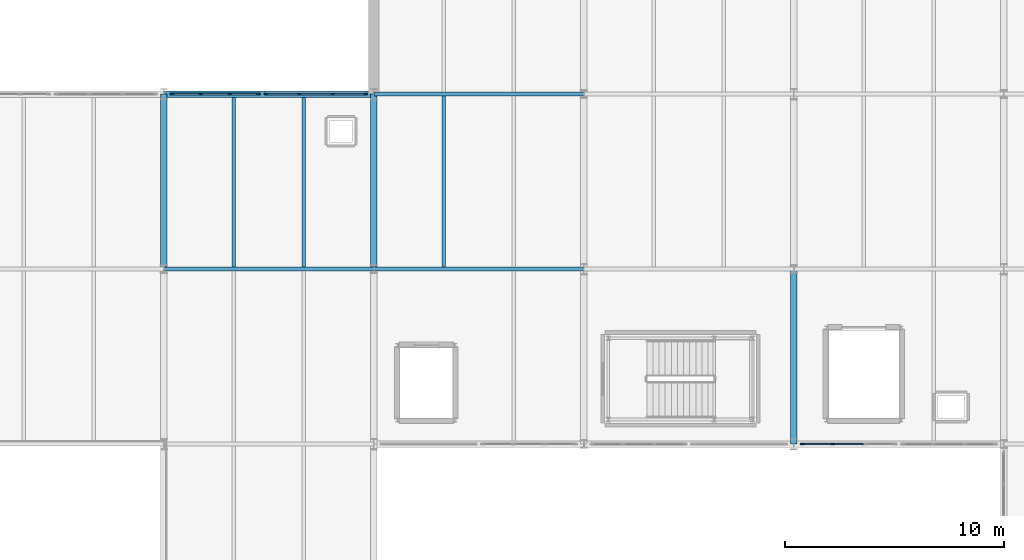
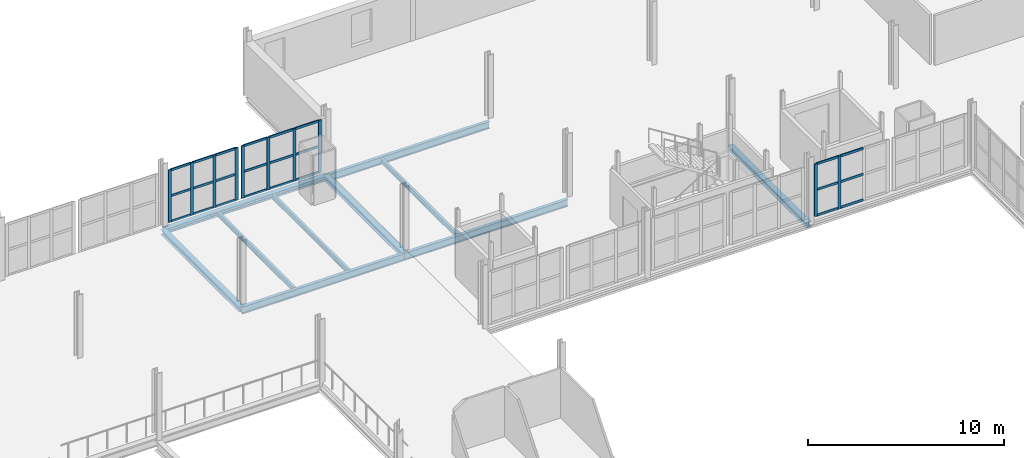
# One storey, part 42 of 78: 34 members, 10 beams, 3 elements without a shape of their own.
"""IFC4 building model written with IfcOpenShell, lengths in metres."""

from ifc_helpers import new_model, si_unit, direction, frame, origin, origin_2d, place, context, subcontext, project, spatial, rectangle, i_section, extrude, material, layer, layer_set, material_profile, profile_set, type_object, element, aggregate, save


model = new_model("IFC4")

# Units and contexts
model_context = context("Model", 3, precision=1e-05, world=origin(), true_north=direction((0.0, 1.0)))
body_context = subcontext(model_context, "Body", "Model", "MODEL_VIEW")
ifc_project = project(units=[si_unit("LENGTHUNIT", "METRE"), si_unit("AREAUNIT", "SQUARE_METRE"), si_unit("VOLUMEUNIT", "CUBIC_METRE"), si_unit("PLANEANGLEUNIT", "RADIAN"), si_unit("MASSUNIT", "GRAM", prefix="KILO")], contexts=[model_context])

# Site, building, storey
site_placement = place(None, origin())
site = spatial("IfcSite", under=ifc_project, at=site_placement, CompositionType="ELEMENT")
building_placement = place(site_placement, origin())
building = spatial("IfcBuilding", under=site, at=building_placement, Name="Alderhovde Museum", CompositionType="ELEMENT")
storey_placement = place(building_placement, frame((0.0, 0.0, 4.5)))
storey = spatial("IfcBuildingStorey", under=building, at=storey_placement, Name="L01", CompositionType="ELEMENT", Elevation=4.5)

# Beams
ifc_material_1 = material(Name="Steel S355J2", Category="steel")
ifc_material_profile_1 = material_profile(ifc_material_1, i_section(OverallWidth=0.300048828125, OverallDepth=0.330078125, WebThickness=0.009521484375, FlangeThickness=0.0166015625, FilletRadius=0.027099609375, at=origin_2d()), Name="HEA 340")
ifc_profile_set_1 = profile_set([ifc_material_profile_1], Name="Steel S355J2")
beam_type_1 = type_object("IfcBeamType", Name="BM-HEA340", PredefinedType="BEAM", material=ifc_profile_set_1)
for number, where, z_axis, x_axis, name in (
    (1, (105.60009765625, 80.0, -0.425048828125), (0.0, 1.0, 0.0), (-1.0, 0.0, 0.0), "L01 Grid Beam X=105.6 (80.0 TO 88.0)"),
    (2, (115.199951171875, 80.0, -0.425048828125), (0.0, 1.0, 0.0), (-1.0, 0.0, 0.0), "L01 Grid Beam X=115.2 (80.0 TO 88.0)"),
    (3, (134.39990234375, 72.0, -0.425048828125), (0.0, 1.0, 0.0), (-1.0, 0.0, 0.0), "L01 Grid Beam X=134.4 (72.0 TO 80.0)"),
):
    element("IfcBeam", number, at=place(storey_placement, frame(where, z_axis=z_axis, x_axis=x_axis)), inside=storey, type_object=beam_type_1, Name=name, PredefinedType="BEAM", context=body_context, shape_type="SweptSolid", body=[
        extrude(i_section(OverallWidth=0.300048828125, OverallDepth=0.330078125, WebThickness=0.009521484375, FlangeThickness=0.0166015625, FilletRadius=0.027099609375, at=origin_2d()), origin(), (0.0, 0.0, 1.0), 8.0),
    ])
ifc_material_2 = material(Name="Steel S355J2", Category="steel")
ifc_material_profile_2 = material_profile(ifc_material_2, i_section(OverallWidth=0.18994140625, OverallDepth=0.449951171875, WebThickness=0.009521484375, FlangeThickness=0.0146484375, FilletRadius=0.02099609375, at=origin_2d()), Name="IPE 450")
ifc_profile_set_2 = profile_set([ifc_material_profile_2], Name="Steel S355J2")
beam_type_2 = type_object("IfcBeamType", Name="BM-IPE450", PredefinedType="BEAM", material=ifc_profile_set_2)
beam_1_placement = place(storey_placement, frame((105.60009765625, 80.0, -0.485107421875), z_axis=(1.0, 0.0, 0.0), x_axis=(0.0, 1.0, 0.0)))
element("IfcBeam", 4, at=beam_1_placement, inside=storey, type_object=beam_type_2, Name="L01 Grid Beam Y=80.0 (105.6 TO 115.2)", PredefinedType="BEAM", context=body_context, shape_type="SweptSolid", body=[
    extrude(i_section(OverallWidth=0.18994140625, OverallDepth=0.449951171875, WebThickness=0.009521484375, FlangeThickness=0.0146484375, FilletRadius=0.02099609375, at=origin_2d()), origin(), (0.0, 0.0, 1.0), 9.599853515625),
])
for number, where, z_axis, x_axis, name in (
    (5, (115.199951171875, 80.0, -0.485107421875), (1.0, 0.0, 0.0), (0.0, 1.0, 0.0), "L01 Grid Beam Y=80.0 (115.2 TO 124.8)"),
    (6, (115.199951171875, 88.0, -0.485107421875), (1.0, 0.0, 0.0), (0.0, 1.0, 0.0), "L01 Grid Beam Y=88.0 (115.2 TO 124.8)"),
):
    element("IfcBeam", number, at=place(storey_placement, frame(where, z_axis=z_axis, x_axis=x_axis)), inside=storey, type_object=beam_type_2, Name=name, PredefinedType="BEAM", context=body_context, shape_type="SweptSolid", body=[
        extrude(i_section(OverallWidth=0.18994140625, OverallDepth=0.449951171875, WebThickness=0.009521484375, FlangeThickness=0.0146484375, FilletRadius=0.02099609375, at=origin_2d()), origin(), (0.0, 0.0, 1.0), 9.60009765625),
    ])

# Curtain wall, members
ifc_material_3 = material(Name="Triple-Glazed Bronze-Anodised Curtain Wall", Category="glass")
ifc_layer_1 = layer(ifc_material_3, 0.179931640625)
ifc_layer_set_1 = layer_set([ifc_layer_1], Name="Triple-Glazed Bronze-Anodised Curtain Wall")
curtain_wall_type_1 = type_object("IfcCurtainWallType", Name="CW-UNIT-400x326", PredefinedType="USERDEFINED", material=ifc_layer_set_1)
curtain_wall_1_placement = place(storey_placement, origin())
curtain_wall_1 = element("IfcCurtainWall", 7, at=curtain_wall_1_placement, inside=storey, type_object=curtain_wall_type_1, Name="L01 Unitised Curtain Wall 23", ObjectType="UNITISED CURTAIN WALL", PredefinedType="USERDEFINED")
ifc_material_4 = material(Name="Bronze-Anodised Aluminium EN AW-6063-T6", Category="aluminium")
ifc_material_profile_3 = material_profile(ifc_material_4, rectangle(XDim=0.06494140625, YDim=0.179931640625, at=origin_2d()), Name="MULLION 65x180")
ifc_profile_set_3 = profile_set([ifc_material_profile_3], Name="Bronze-Anodised Aluminium EN AW-6063-T6")
member_type_1 = type_object("IfcMemberType", Name="CWM-65x180", PredefinedType="MULLION", material=ifc_profile_set_3)
member_1_placement = place(storey_placement, frame((105.982421875, 88.0, 0.0), z_axis=(0.0, 0.0, 1.0), x_axis=(0.0, 1.0, 0.0)))
member_1 = element("IfcMember", 8, at=member_1_placement, type_object=member_type_1, Name="CW08 mullion 1", PredefinedType="MULLION", context=body_context, shape_type="SweptSolid", body=[
    extrude(rectangle(XDim=0.06494140625, YDim=0.179931640625, at=origin_2d()), origin(), (0.0, 0.0, 1.0), 3.260009765625),
])
member_2_placement = place(storey_placement, frame((107.283447265625, 88.0, 0.0), z_axis=(0.0, 0.0, 1.0), x_axis=(0.0, 1.0, 0.0)))
member_2 = element("IfcMember", 9, at=member_2_placement, type_object=member_type_1, Name="CW08 mullion 2", PredefinedType="MULLION", context=body_context, shape_type="SweptSolid", body=[
    extrude(rectangle(XDim=0.06494140625, YDim=0.179931640625, at=origin_2d()), origin(), (0.0, 0.0, 1.0), 3.260009765625),
])
member_3_placement = place(storey_placement, frame((108.61669921875, 88.0, 0.0), z_axis=(0.0, 0.0, 1.0), x_axis=(0.0, 1.0, 0.0)))
member_3 = element("IfcMember", 10, at=member_3_placement, type_object=member_type_1, Name="CW08 mullion 3", PredefinedType="MULLION", context=body_context, shape_type="SweptSolid", body=[
    extrude(rectangle(XDim=0.06494140625, YDim=0.179931640625, at=origin_2d()), origin(), (0.0, 0.0, 1.0), 3.260009765625),
])
member_4_placement = place(storey_placement, frame((109.91748046875, 88.0, 0.0), z_axis=(0.0, 0.0, 1.0), x_axis=(0.0, 1.0, 0.0)))
member_4 = element("IfcMember", 11, at=member_4_placement, type_object=member_type_1, Name="CW08 mullion 4", PredefinedType="MULLION", context=body_context, shape_type="SweptSolid", body=[
    extrude(rectangle(XDim=0.06494140625, YDim=0.179931640625, at=origin_2d()), origin(), (0.0, 0.0, 1.0), 3.260009765625),
])

ifc_material_5 = material(Name="Triple-Glazed Bronze-Anodised Curtain Wall", Category="glass")
ifc_layer_2 = layer(ifc_material_5, 0.179931640625)
ifc_layer_set_2 = layer_set([ifc_layer_2], Name="Triple-Glazed Bronze-Anodised Curtain Wall")
curtain_wall_type_2 = type_object("IfcCurtainWallType", Name="CW-UNIT-459x326", PredefinedType="USERDEFINED", material=ifc_layer_set_2)
curtain_wall_2_placement = place(storey_placement, origin())
curtain_wall_2 = element("IfcCurtainWall", 12, at=curtain_wall_2_placement, inside=storey, type_object=curtain_wall_type_2, Name="L01 Unitised Curtain Wall 24", ObjectType="UNITISED CURTAIN WALL", PredefinedType="USERDEFINED")
member_5_placement = place(storey_placement, frame((110.282470703125, 88.0, 0.0), z_axis=(0.0, 0.0, 1.0), x_axis=(0.0, 1.0, 0.0)))
member_5 = element("IfcMember", 13, at=member_5_placement, type_object=member_type_1, Name="CW09 mullion 1", PredefinedType="MULLION", context=body_context, shape_type="SweptSolid", body=[
    extrude(rectangle(XDim=0.06494140625, YDim=0.179931640625, at=origin_2d()), origin(), (0.0, 0.0, 1.0), 3.260009765625),
])
member_6_placement = place(storey_placement, frame((111.783447265625, 88.0, 0.0), z_axis=(0.0, 0.0, 1.0), x_axis=(0.0, 1.0, 0.0)))
member_6 = element("IfcMember", 14, at=member_6_placement, type_object=member_type_1, Name="CW09 mullion 2", PredefinedType="MULLION", context=body_context, shape_type="SweptSolid", body=[
    extrude(rectangle(XDim=0.06494140625, YDim=0.179931640625, at=origin_2d()), origin(), (0.0, 0.0, 1.0), 3.260009765625),
])
member_7_placement = place(storey_placement, frame((113.316650390625, 88.0, 0.0), z_axis=(0.0, 0.0, 1.0), x_axis=(0.0, 1.0, 0.0)))
member_7 = element("IfcMember", 15, at=member_7_placement, type_object=member_type_1, Name="CW09 mullion 3", PredefinedType="MULLION", context=body_context, shape_type="SweptSolid", body=[
    extrude(rectangle(XDim=0.06494140625, YDim=0.179931640625, at=origin_2d()), origin(), (0.0, 0.0, 1.0), 3.260009765625),
])
member_8_placement = place(storey_placement, frame((114.8173828125, 88.0, 0.0), z_axis=(0.0, 0.0, 1.0), x_axis=(0.0, 1.0, 0.0)))
member_8 = element("IfcMember", 16, at=member_8_placement, type_object=member_type_1, Name="CW09 mullion 4", PredefinedType="MULLION", context=body_context, shape_type="SweptSolid", body=[
    extrude(rectangle(XDim=0.06494140625, YDim=0.179931640625, at=origin_2d()), origin(), (0.0, 0.0, 1.0), 3.260009765625),
])

ifc_material_6 = material(Name="Triple-Glazed Bronze-Anodised Curtain Wall", Category="glass")
ifc_layer_3 = layer(ifc_material_6, 0.179931640625)
ifc_layer_set_3 = layer_set([ifc_layer_3], Name="Triple-Glazed Bronze-Anodised Curtain Wall")
curtain_wall_type_3 = type_object("IfcCurtainWallType", Name="CW-STIC-430x326", PredefinedType="USERDEFINED", material=ifc_layer_set_3)
curtain_wall_3_placement = place(storey_placement, origin())
curtain_wall_3 = element("IfcCurtainWall", 17, at=curtain_wall_3_placement, inside=storey, type_object=curtain_wall_type_3, Name="L01 Stick Curtain Wall 149", ObjectType="STICK CURTAIN WALL", PredefinedType="USERDEFINED")
member_9_placement = place(storey_placement, frame((134.782470703125, 72.0, 0.0), z_axis=(0.0, 0.0, 1.0), x_axis=(0.0, 1.0, 0.0)))
member_9 = element("IfcMember", 18, at=member_9_placement, type_object=member_type_1, Name="CW34 mullion 1", PredefinedType="MULLION", context=body_context, shape_type="SweptSolid", body=[
    extrude(rectangle(XDim=0.06494140625, YDim=0.179931640625, at=origin_2d()), origin(), (0.0, 0.0, 1.0), 3.260009765625),
])
member_10_placement = place(storey_placement, frame((136.183349609375, 72.0, 0.0), z_axis=(0.0, 0.0, 1.0), x_axis=(0.0, 1.0, 0.0)))
member_10 = element("IfcMember", 19, at=member_10_placement, type_object=member_type_1, Name="CW34 mullion 2", PredefinedType="MULLION", context=body_context, shape_type="SweptSolid", body=[
    extrude(rectangle(XDim=0.06494140625, YDim=0.179931640625, at=origin_2d()), origin(), (0.0, 0.0, 1.0), 3.260009765625),
])

# Member
ifc_material_7 = material(Name="Bronze-Anodised Aluminium EN AW-6063-T6", Category="aluminium")
ifc_material_profile_4 = material_profile(ifc_material_7, rectangle(XDim=0.06494140625, YDim=0.139892578125, at=origin_2d()), Name="TRANSOM 65x140")
ifc_profile_set_4 = profile_set([ifc_material_profile_4], Name="Bronze-Anodised Aluminium EN AW-6063-T6")
member_type_2 = type_object("IfcMemberType", Name="CWT-65x140", PredefinedType="USERDEFINED", material=ifc_profile_set_4)
member_11_placement = place(storey_placement, frame((106.014892578125, 88.0, 0.032470703125), z_axis=(1.0, 0.0, 0.0), x_axis=(0.0, 1.0, 0.0)))
member_11 = element("IfcMember", 20, at=member_11_placement, type_object=member_type_2, Name="CW08 transom 1.1", ObjectType="TRANSOM", PredefinedType="USERDEFINED", context=body_context, shape_type="SweptSolid", body=[
    extrude(rectangle(XDim=0.06494140625, YDim=0.139892578125, at=origin_2d()), origin(), (0.0, 0.0, 1.0), 1.23583984375),
])

member_12_placement = place(storey_placement, frame((106.014892578125, 88.0, 1.6298828125), z_axis=(1.0, 0.0, 0.0), x_axis=(0.0, 1.0, 0.0)))
member_12 = element("IfcMember", 21, at=member_12_placement, type_object=member_type_2, Name="CW08 transom 1.2", ObjectType="TRANSOM", PredefinedType="USERDEFINED", context=body_context, shape_type="SweptSolid", body=[
    extrude(rectangle(XDim=0.06494140625, YDim=0.139892578125, at=origin_2d()), origin(), (0.0, 0.0, 1.0), 1.23583984375),
])

member_13_placement = place(storey_placement, frame((106.014892578125, 88.0, 3.2275390625), z_axis=(1.0, 0.0, 0.0), x_axis=(0.0, 1.0, 0.0)))
member_13 = element("IfcMember", 22, at=member_13_placement, type_object=member_type_2, Name="CW08 transom 1.3", ObjectType="TRANSOM", PredefinedType="USERDEFINED", context=body_context, shape_type="SweptSolid", body=[
    extrude(rectangle(XDim=0.06494140625, YDim=0.139892578125, at=origin_2d()), origin(), (0.0, 0.0, 1.0), 1.23583984375),
])

member_14_placement = place(storey_placement, frame((107.31591796875, 88.0, 0.032470703125), z_axis=(1.0, 0.0, 0.0), x_axis=(0.0, 1.0, 0.0)))
member_14 = element("IfcMember", 23, at=member_14_placement, type_object=member_type_2, Name="CW08 transom 2.1", ObjectType="TRANSOM", PredefinedType="USERDEFINED", context=body_context, shape_type="SweptSolid", body=[
    extrude(rectangle(XDim=0.06494140625, YDim=0.139892578125, at=origin_2d()), origin(), (0.0, 0.0, 1.0), 1.268310546875),
])

member_15_placement = place(storey_placement, frame((107.31591796875, 88.0, 1.6298828125), z_axis=(1.0, 0.0, 0.0), x_axis=(0.0, 1.0, 0.0)))
member_15 = element("IfcMember", 24, at=member_15_placement, type_object=member_type_2, Name="CW08 transom 2.2", ObjectType="TRANSOM", PredefinedType="USERDEFINED", context=body_context, shape_type="SweptSolid", body=[
    extrude(rectangle(XDim=0.06494140625, YDim=0.139892578125, at=origin_2d()), origin(), (0.0, 0.0, 1.0), 1.268310546875),
])

member_16_placement = place(storey_placement, frame((107.31591796875, 88.0, 3.2275390625), z_axis=(1.0, 0.0, 0.0), x_axis=(0.0, 1.0, 0.0)))
member_16 = element("IfcMember", 25, at=member_16_placement, type_object=member_type_2, Name="CW08 transom 2.3", ObjectType="TRANSOM", PredefinedType="USERDEFINED", context=body_context, shape_type="SweptSolid", body=[
    extrude(rectangle(XDim=0.06494140625, YDim=0.139892578125, at=origin_2d()), origin(), (0.0, 0.0, 1.0), 1.268310546875),
])

member_17_placement = place(storey_placement, frame((108.649169921875, 88.0, 0.032470703125), z_axis=(1.0, 0.0, 0.0), x_axis=(0.0, 1.0, 0.0)))
member_17 = element("IfcMember", 26, at=member_17_placement, type_object=member_type_2, Name="CW08 transom 3.1", ObjectType="TRANSOM", PredefinedType="USERDEFINED", context=body_context, shape_type="SweptSolid", body=[
    extrude(rectangle(XDim=0.06494140625, YDim=0.139892578125, at=origin_2d()), origin(), (0.0, 0.0, 1.0), 1.23583984375),
])

member_18_placement = place(storey_placement, frame((108.649169921875, 88.0, 1.6298828125), z_axis=(1.0, 0.0, 0.0), x_axis=(0.0, 1.0, 0.0)))
member_18 = element("IfcMember", 27, at=member_18_placement, type_object=member_type_2, Name="CW08 transom 3.2", ObjectType="TRANSOM", PredefinedType="USERDEFINED", context=body_context, shape_type="SweptSolid", body=[
    extrude(rectangle(XDim=0.06494140625, YDim=0.139892578125, at=origin_2d()), origin(), (0.0, 0.0, 1.0), 1.23583984375),
])

member_19_placement = place(storey_placement, frame((108.649169921875, 88.0, 3.2275390625), z_axis=(1.0, 0.0, 0.0), x_axis=(0.0, 1.0, 0.0)))
member_19 = element("IfcMember", 28, at=member_19_placement, type_object=member_type_2, Name="CW08 transom 3.3", ObjectType="TRANSOM", PredefinedType="USERDEFINED", context=body_context, shape_type="SweptSolid", body=[
    extrude(rectangle(XDim=0.06494140625, YDim=0.139892578125, at=origin_2d()), origin(), (0.0, 0.0, 1.0), 1.23583984375),
])

aggregate(curtain_wall_1, [member_1, member_2, member_3, member_4, member_11, member_12, member_13, member_14, member_15, member_16, member_17, member_18, member_19])

member_20_placement = place(storey_placement, frame((110.31494140625, 88.0, 0.032470703125), z_axis=(1.0, 0.0, 0.0), x_axis=(0.0, 1.0, 0.0)))
member_20 = element("IfcMember", 29, at=member_20_placement, type_object=member_type_2, Name="CW09 transom 1.1", ObjectType="TRANSOM", PredefinedType="USERDEFINED", context=body_context, shape_type="SweptSolid", body=[
    extrude(rectangle(XDim=0.06494140625, YDim=0.139892578125, at=origin_2d()), origin(), (0.0, 0.0, 1.0), 1.435791015625),
])

member_21_placement = place(storey_placement, frame((110.31494140625, 88.0, 1.6298828125), z_axis=(1.0, 0.0, 0.0), x_axis=(0.0, 1.0, 0.0)))
member_21 = element("IfcMember", 30, at=member_21_placement, type_object=member_type_2, Name="CW09 transom 1.2", ObjectType="TRANSOM", PredefinedType="USERDEFINED", context=body_context, shape_type="SweptSolid", body=[
    extrude(rectangle(XDim=0.06494140625, YDim=0.139892578125, at=origin_2d()), origin(), (0.0, 0.0, 1.0), 1.435791015625),
])

member_22_placement = place(storey_placement, frame((110.31494140625, 88.0, 3.2275390625), z_axis=(1.0, 0.0, 0.0), x_axis=(0.0, 1.0, 0.0)))
member_22 = element("IfcMember", 31, at=member_22_placement, type_object=member_type_2, Name="CW09 transom 1.3", ObjectType="TRANSOM", PredefinedType="USERDEFINED", context=body_context, shape_type="SweptSolid", body=[
    extrude(rectangle(XDim=0.06494140625, YDim=0.139892578125, at=origin_2d()), origin(), (0.0, 0.0, 1.0), 1.435791015625),
])

member_23_placement = place(storey_placement, frame((111.81591796875, 88.0, 0.032470703125), z_axis=(1.0, 0.0, 0.0), x_axis=(0.0, 1.0, 0.0)))
member_23 = element("IfcMember", 32, at=member_23_placement, type_object=member_type_2, Name="CW09 transom 2.1", ObjectType="TRANSOM", PredefinedType="USERDEFINED", context=body_context, shape_type="SweptSolid", body=[
    extrude(rectangle(XDim=0.06494140625, YDim=0.139892578125, at=origin_2d()), origin(), (0.0, 0.0, 1.0), 1.46826171875),
])

member_24_placement = place(storey_placement, frame((111.81591796875, 88.0, 1.6298828125), z_axis=(1.0, 0.0, 0.0), x_axis=(0.0, 1.0, 0.0)))
member_24 = element("IfcMember", 33, at=member_24_placement, type_object=member_type_2, Name="CW09 transom 2.2", ObjectType="TRANSOM", PredefinedType="USERDEFINED", context=body_context, shape_type="SweptSolid", body=[
    extrude(rectangle(XDim=0.06494140625, YDim=0.139892578125, at=origin_2d()), origin(), (0.0, 0.0, 1.0), 1.46826171875),
])

member_25_placement = place(storey_placement, frame((111.81591796875, 88.0, 3.2275390625), z_axis=(1.0, 0.0, 0.0), x_axis=(0.0, 1.0, 0.0)))
member_25 = element("IfcMember", 34, at=member_25_placement, type_object=member_type_2, Name="CW09 transom 2.3", ObjectType="TRANSOM", PredefinedType="USERDEFINED", context=body_context, shape_type="SweptSolid", body=[
    extrude(rectangle(XDim=0.06494140625, YDim=0.139892578125, at=origin_2d()), origin(), (0.0, 0.0, 1.0), 1.46826171875),
])

member_26_placement = place(storey_placement, frame((113.34912109375, 88.0, 0.032470703125), z_axis=(1.0, 0.0, 0.0), x_axis=(0.0, 1.0, 0.0)))
member_26 = element("IfcMember", 35, at=member_26_placement, type_object=member_type_2, Name="CW09 transom 3.1", ObjectType="TRANSOM", PredefinedType="USERDEFINED", context=body_context, shape_type="SweptSolid", body=[
    extrude(rectangle(XDim=0.06494140625, YDim=0.139892578125, at=origin_2d()), origin(), (0.0, 0.0, 1.0), 1.435791015625),
])

member_27_placement = place(storey_placement, frame((113.34912109375, 88.0, 1.6298828125), z_axis=(1.0, 0.0, 0.0), x_axis=(0.0, 1.0, 0.0)))
member_27 = element("IfcMember", 36, at=member_27_placement, type_object=member_type_2, Name="CW09 transom 3.2", ObjectType="TRANSOM", PredefinedType="USERDEFINED", context=body_context, shape_type="SweptSolid", body=[
    extrude(rectangle(XDim=0.06494140625, YDim=0.139892578125, at=origin_2d()), origin(), (0.0, 0.0, 1.0), 1.435791015625),
])

member_28_placement = place(storey_placement, frame((113.34912109375, 88.0, 3.2275390625), z_axis=(1.0, 0.0, 0.0), x_axis=(0.0, 1.0, 0.0)))
member_28 = element("IfcMember", 37, at=member_28_placement, type_object=member_type_2, Name="CW09 transom 3.3", ObjectType="TRANSOM", PredefinedType="USERDEFINED", context=body_context, shape_type="SweptSolid", body=[
    extrude(rectangle(XDim=0.06494140625, YDim=0.139892578125, at=origin_2d()), origin(), (0.0, 0.0, 1.0), 1.435791015625),
])

aggregate(curtain_wall_2, [member_5, member_6, member_7, member_8, member_20, member_21, member_22, member_23, member_24, member_25, member_26, member_27, member_28])

member_29_placement = place(storey_placement, frame((134.81494140625, 72.0, 0.032470703125), z_axis=(1.0, 0.0, 0.0), x_axis=(0.0, 1.0, 0.0)))
member_29 = element("IfcMember", 38, at=member_29_placement, type_object=member_type_2, Name="CW34 transom 1.1", ObjectType="TRANSOM", PredefinedType="USERDEFINED", context=body_context, shape_type="SweptSolid", body=[
    extrude(rectangle(XDim=0.06494140625, YDim=0.139892578125, at=origin_2d()), origin(), (0.0, 0.0, 1.0), 1.3359375),
])

member_30_placement = place(storey_placement, frame((134.81494140625, 72.0, 1.6298828125), z_axis=(1.0, 0.0, 0.0), x_axis=(0.0, 1.0, 0.0)))
member_30 = element("IfcMember", 39, at=member_30_placement, type_object=member_type_2, Name="CW34 transom 1.2", ObjectType="TRANSOM", PredefinedType="USERDEFINED", context=body_context, shape_type="SweptSolid", body=[
    extrude(rectangle(XDim=0.06494140625, YDim=0.139892578125, at=origin_2d()), origin(), (0.0, 0.0, 1.0), 1.3359375),
])

member_31_placement = place(storey_placement, frame((134.81494140625, 72.0, 3.2275390625), z_axis=(1.0, 0.0, 0.0), x_axis=(0.0, 1.0, 0.0)))
member_31 = element("IfcMember", 40, at=member_31_placement, type_object=member_type_2, Name="CW34 transom 1.3", ObjectType="TRANSOM", PredefinedType="USERDEFINED", context=body_context, shape_type="SweptSolid", body=[
    extrude(rectangle(XDim=0.06494140625, YDim=0.139892578125, at=origin_2d()), origin(), (0.0, 0.0, 1.0), 1.3359375),
])

member_32_placement = place(storey_placement, frame((136.2158203125, 72.0, 0.032470703125), z_axis=(1.0, 0.0, 0.0), x_axis=(0.0, 1.0, 0.0)))
member_32 = element("IfcMember", 41, at=member_32_placement, type_object=member_type_2, Name="CW34 transom 2.1", ObjectType="TRANSOM", PredefinedType="USERDEFINED", context=body_context, shape_type="SweptSolid", body=[
    extrude(rectangle(XDim=0.06494140625, YDim=0.139892578125, at=origin_2d()), origin(), (0.0, 0.0, 1.0), 1.368408203125),
])

member_33_placement = place(storey_placement, frame((136.2158203125, 72.0, 1.6298828125), z_axis=(1.0, 0.0, 0.0), x_axis=(0.0, 1.0, 0.0)))
member_33 = element("IfcMember", 42, at=member_33_placement, type_object=member_type_2, Name="CW34 transom 2.2", ObjectType="TRANSOM", PredefinedType="USERDEFINED", context=body_context, shape_type="SweptSolid", body=[
    extrude(rectangle(XDim=0.06494140625, YDim=0.139892578125, at=origin_2d()), origin(), (0.0, 0.0, 1.0), 1.368408203125),
])

member_34_placement = place(storey_placement, frame((136.2158203125, 72.0, 3.2275390625), z_axis=(1.0, 0.0, 0.0), x_axis=(0.0, 1.0, 0.0)))
member_34 = element("IfcMember", 43, at=member_34_placement, type_object=member_type_2, Name="CW34 transom 2.3", ObjectType="TRANSOM", PredefinedType="USERDEFINED", context=body_context, shape_type="SweptSolid", body=[
    extrude(rectangle(XDim=0.06494140625, YDim=0.139892578125, at=origin_2d()), origin(), (0.0, 0.0, 1.0), 1.368408203125),
])

aggregate(curtain_wall_3, [member_9, member_10, member_29, member_30, member_31, member_32, member_33, member_34])

# Beams
ifc_material_8 = material(Name="Steel S355J2", Category="steel")
ifc_material_profile_5 = material_profile(ifc_material_8, i_section(OverallWidth=0.14990234375, OverallDepth=0.300048828125, WebThickness=0.007080078125, FlangeThickness=0.0107421875, FilletRadius=0.014892578125, at=origin_2d()), Name="IPE 300")
ifc_profile_set_5 = profile_set([ifc_material_profile_5], Name="Steel S355J2")
beam_type_3 = type_object("IfcBeamType", Name="JST-IPE300", PredefinedType="JOIST", material=ifc_profile_set_5)
for number, where, z_axis, x_axis, name in (
    (44, (108.800048828125, 80.094970703125, -0.409912109375), (0.0, 1.0, 0.0), (-1.0, 0.0, 0.0), "L01 Composite Joist X=108.8 (80.0 TO 88.0)"),
    (45, (112.0, 80.094970703125, -0.409912109375), (0.0, 1.0, 0.0), (-1.0, 0.0, 0.0), "L01 Composite Joist X=112.0 (80.0 TO 88.0)"),
):
    element("IfcBeam", number, at=place(storey_placement, frame(where, z_axis=z_axis, x_axis=x_axis)), inside=storey, type_object=beam_type_3, Name=name, PredefinedType="JOIST", context=body_context, shape_type="SweptSolid", body=[
        extrude(i_section(OverallWidth=0.14990234375, OverallDepth=0.300048828125, WebThickness=0.007080078125, FlangeThickness=0.0107421875, FilletRadius=0.014892578125, at=origin_2d()), origin(), (0.0, 0.0, 1.0), 7.755126953125),
    ])
beam_2_placement = place(storey_placement, frame((118.39990234375, 80.094970703125, -0.409912109375), z_axis=(0.0, 1.0, 0.0), x_axis=(-1.0, 0.0, 0.0)))
element("IfcBeam", 46, at=beam_2_placement, inside=storey, type_object=beam_type_3, Name="L01 Composite Joist X=118.4 (80.0 TO 88.0)", PredefinedType="JOIST", context=body_context, shape_type="SweptSolid", body=[
    extrude(i_section(OverallWidth=0.14990234375, OverallDepth=0.300048828125, WebThickness=0.007080078125, FlangeThickness=0.0107421875, FilletRadius=0.014892578125, at=origin_2d()), origin(), (0.0, 0.0, 1.0), 7.81005859375),
])
ifc_material_9 = material(Name="Steel S355J2", Category="steel")
ifc_material_profile_6 = material_profile(ifc_material_9, i_section(OverallWidth=0.300048828125, OverallDepth=0.2900390625, WebThickness=0.008544921875, FlangeThickness=0.013916015625, FilletRadius=0.027099609375, at=origin_2d()), Name="HEA 300")
ifc_profile_set_6 = profile_set([ifc_material_profile_6], Name="Steel S355J2")
beam_type_4 = type_object("IfcBeamType", Name="SPD-HEA300", PredefinedType="SPANDREL", material=ifc_profile_set_6)
beam_3_placement = place(storey_placement, frame((105.60009765625, 88.0, -0.405029296875), z_axis=(1.0, 0.0, 0.0), x_axis=(0.0, 1.0, 0.0)))
element("IfcBeam", 47, at=beam_3_placement, inside=storey, type_object=beam_type_4, Name="L01 Grid Beam Y=88.0 (105.6 TO 115.2)", PredefinedType="SPANDREL", context=body_context, shape_type="SweptSolid", body=[
    extrude(i_section(OverallWidth=0.300048828125, OverallDepth=0.2900390625, WebThickness=0.008544921875, FlangeThickness=0.013916015625, FilletRadius=0.027099609375, at=origin_2d()), origin(), (0.0, 0.0, 1.0), 9.599853515625),
])

save(model, "model.ifc")
